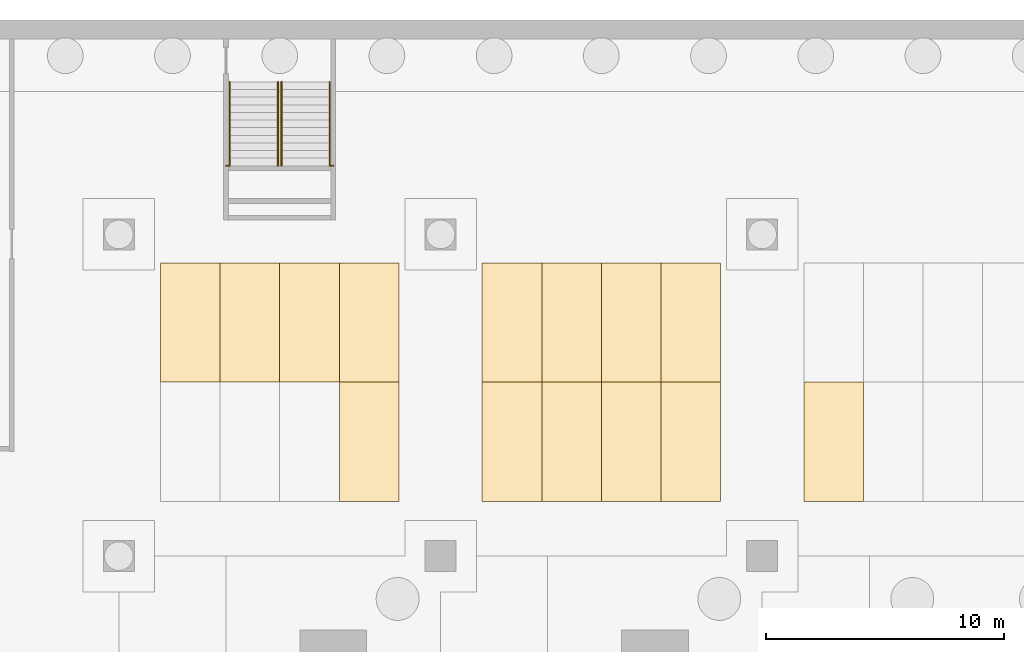
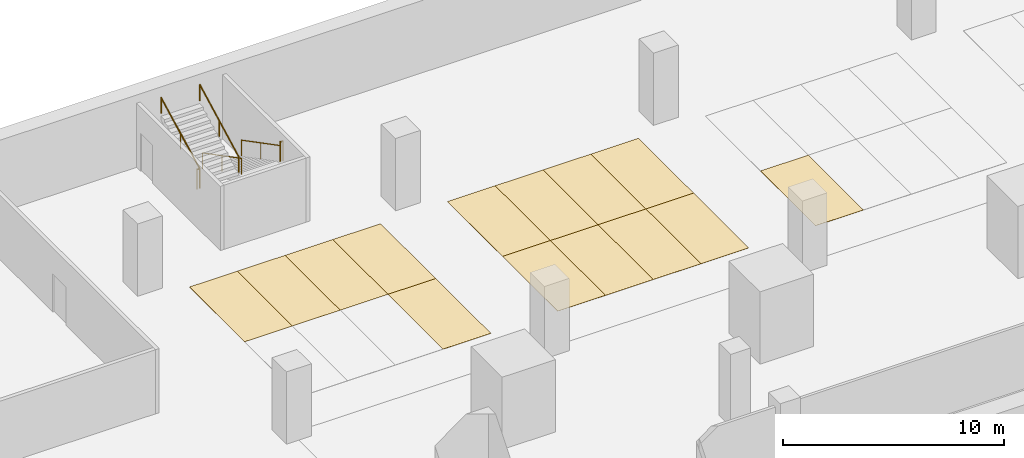
# One storey, part 33 of 40: 14 coverings, 6 railings.
"""IFC4 building model written with IfcOpenShell, lengths in metres."""

from ifc_helpers import new_model, si_unit, direction, frame, origin, origin_2d, place, context, subcontext, project, spatial, polyline, circle, outline, extrude, source, transform, mapped, material, layer, layer_set, type_object, element, save


model = new_model("IFC4")

# Units and contexts
model_context = context("Model", 3, precision=1e-05, world=origin(), true_north=direction((0.0, 1.0)))
body_context = subcontext(model_context, "Body", "Model", "MODEL_VIEW")
ifc_project = project(units=[si_unit("LENGTHUNIT", "METRE"), si_unit("AREAUNIT", "SQUARE_METRE"), si_unit("VOLUMEUNIT", "CUBIC_METRE"), si_unit("PLANEANGLEUNIT", "RADIAN"), si_unit("MASSUNIT", "GRAM", prefix="KILO")], contexts=[model_context])

# Site, building, storey
site_placement = place(None, origin())
site = spatial("IfcSite", under=ifc_project, at=site_placement, CompositionType="ELEMENT")
building_placement = place(site_placement, origin())
building = spatial("IfcBuilding", under=site, at=building_placement, Name="Altepetl Exchange Towers", CompositionType="ELEMENT")
storey_placement = place(building_placement, frame((0.0, 0.0, -8.0)))
storey = spatial("IfcBuildingStorey", under=building, at=storey_placement, Name="B2 Basement parking", CompositionType="ELEMENT", Elevation=-8.0)

# Coverings
ifc_material_1 = material(Name="Road marking paint")
ifc_layer = layer(ifc_material_1, 0.010009765625)
ifc_layer_set = layer_set([ifc_layer], Name="Road marking paint")
covering_type = type_object("IfcCoveringType", Name="Parking bay marking 2500 x 5000", PredefinedType="FLOORING", material=ifc_layer_set)
covering_1_placement = place(storey_placement, origin())
element("IfcCovering", 1, at=covering_1_placement, inside=storey, type_object=covering_type, Name="Parking bay B2-118", PredefinedType="FLOORING", context=body_context, shape_type="SweptSolid", body=[
    extrude(outline(polyline([(31.75, 78.800048828125), (34.25, 78.800048828125), (34.25, 83.800048828125), (31.75, 83.800048828125), (31.75, 78.800048828125)])), origin(), (0.0, 0.0, 1.0), 0.010009765625),
])
covering_2_placement = place(storey_placement, origin())
element("IfcCovering", 2, at=covering_2_placement, inside=storey, type_object=covering_type, Name="Parking bay B2-119", PredefinedType="FLOORING", context=body_context, shape_type="SweptSolid", body=[
    extrude(outline(polyline([(37.75, 78.800048828125), (40.25, 78.800048828125), (40.25, 83.800048828125), (37.75, 83.800048828125), (37.75, 78.800048828125)])), origin(), (0.0, 0.0, 1.0), 0.010009765625),
])
covering_3_placement = place(storey_placement, origin())
element("IfcCovering", 3, at=covering_3_placement, inside=storey, type_object=covering_type, Name="Parking bay B2-120", PredefinedType="FLOORING", context=body_context, shape_type="SweptSolid", body=[
    extrude(outline(polyline([(40.25, 78.800048828125), (42.75, 78.800048828125), (42.75, 83.800048828125), (40.25, 83.800048828125), (40.25, 78.800048828125)])), origin(), (0.0, 0.0, 1.0), 0.010009765625),
])
covering_4_placement = place(storey_placement, origin())
element("IfcCovering", 4, at=covering_4_placement, inside=storey, type_object=covering_type, Name="Parking bay B2-121", PredefinedType="FLOORING", context=body_context, shape_type="SweptSolid", body=[
    extrude(outline(polyline([(42.75, 78.800048828125), (45.25, 78.800048828125), (45.25, 83.800048828125), (42.75, 83.800048828125), (42.75, 78.800048828125)])), origin(), (0.0, 0.0, 1.0), 0.010009765625),
])
covering_5_placement = place(storey_placement, origin())
element("IfcCovering", 5, at=covering_5_placement, inside=storey, type_object=covering_type, Name="Parking bay B2-122", PredefinedType="FLOORING", context=body_context, shape_type="SweptSolid", body=[
    extrude(outline(polyline([(45.25, 78.800048828125), (47.75, 78.800048828125), (47.75, 83.800048828125), (45.25, 83.800048828125), (45.25, 78.800048828125)])), origin(), (0.0, 0.0, 1.0), 0.010009765625),
])
covering_6_placement = place(storey_placement, origin())
element("IfcCovering", 6, at=covering_6_placement, inside=storey, type_object=covering_type, Name="Parking bay B2-123", PredefinedType="FLOORING", context=body_context, shape_type="SweptSolid", body=[
    extrude(outline(polyline([(51.25, 78.800048828125), (53.75, 78.800048828125), (53.75, 83.800048828125), (51.25, 83.800048828125), (51.25, 78.800048828125)])), origin(), (0.0, 0.0, 1.0), 0.010009765625),
])
covering_7_placement = place(storey_placement, origin())
element("IfcCovering", 7, at=covering_7_placement, inside=storey, type_object=covering_type, Name="Parking bay B2-141", PredefinedType="FLOORING", context=body_context, shape_type="SweptSolid", body=[
    extrude(outline(polyline([(24.25, 83.800048828125), (26.75, 83.800048828125), (26.75, 88.800048828125), (24.25, 88.800048828125), (24.25, 83.800048828125)])), origin(), (0.0, 0.0, 1.0), 0.010009765625),
])
covering_8_placement = place(storey_placement, origin())
element("IfcCovering", 8, at=covering_8_placement, inside=storey, type_object=covering_type, Name="Parking bay B2-142", PredefinedType="FLOORING", context=body_context, shape_type="SweptSolid", body=[
    extrude(outline(polyline([(26.75, 83.800048828125), (29.25, 83.800048828125), (29.25, 88.800048828125), (26.75, 88.800048828125), (26.75, 83.800048828125)])), origin(), (0.0, 0.0, 1.0), 0.010009765625),
])
covering_9_placement = place(storey_placement, origin())
element("IfcCovering", 9, at=covering_9_placement, inside=storey, type_object=covering_type, Name="Parking bay B2-143", PredefinedType="FLOORING", context=body_context, shape_type="SweptSolid", body=[
    extrude(outline(polyline([(29.25, 83.800048828125), (31.75, 83.800048828125), (31.75, 88.800048828125), (29.25, 88.800048828125), (29.25, 83.800048828125)])), origin(), (0.0, 0.0, 1.0), 0.010009765625),
])
covering_10_placement = place(storey_placement, origin())
element("IfcCovering", 10, at=covering_10_placement, inside=storey, type_object=covering_type, Name="Parking bay B2-144", PredefinedType="FLOORING", context=body_context, shape_type="SweptSolid", body=[
    extrude(outline(polyline([(31.75, 83.800048828125), (34.25, 83.800048828125), (34.25, 88.800048828125), (31.75, 88.800048828125), (31.75, 83.800048828125)])), origin(), (0.0, 0.0, 1.0), 0.010009765625),
])
covering_11_placement = place(storey_placement, origin())
element("IfcCovering", 11, at=covering_11_placement, inside=storey, type_object=covering_type, Name="Parking bay B2-145", PredefinedType="FLOORING", context=body_context, shape_type="SweptSolid", body=[
    extrude(outline(polyline([(37.75, 83.800048828125), (40.25, 83.800048828125), (40.25, 88.800048828125), (37.75, 88.800048828125), (37.75, 83.800048828125)])), origin(), (0.0, 0.0, 1.0), 0.010009765625),
])
covering_12_placement = place(storey_placement, origin())
element("IfcCovering", 12, at=covering_12_placement, inside=storey, type_object=covering_type, Name="Parking bay B2-146", PredefinedType="FLOORING", context=body_context, shape_type="SweptSolid", body=[
    extrude(outline(polyline([(40.25, 83.800048828125), (42.75, 83.800048828125), (42.75, 88.800048828125), (40.25, 88.800048828125), (40.25, 83.800048828125)])), origin(), (0.0, 0.0, 1.0), 0.010009765625),
])
covering_13_placement = place(storey_placement, origin())
element("IfcCovering", 13, at=covering_13_placement, inside=storey, type_object=covering_type, Name="Parking bay B2-147", PredefinedType="FLOORING", context=body_context, shape_type="SweptSolid", body=[
    extrude(outline(polyline([(42.75, 83.800048828125), (45.25, 83.800048828125), (45.25, 88.800048828125), (42.75, 88.800048828125), (42.75, 83.800048828125)])), origin(), (0.0, 0.0, 1.0), 0.010009765625),
])
covering_14_placement = place(storey_placement, origin())
element("IfcCovering", 14, at=covering_14_placement, inside=storey, type_object=covering_type, Name="Parking bay B2-148", PredefinedType="FLOORING", context=body_context, shape_type="SweptSolid", body=[
    extrude(outline(polyline([(45.25, 83.800048828125), (47.75, 83.800048828125), (47.75, 88.800048828125), (45.25, 88.800048828125), (45.25, 83.800048828125)])), origin(), (0.0, 0.0, 1.0), 0.010009765625),
])

# Railings
ifc_material_2 = material(Name="Laminated glass and steel", Category="steel")
railing_type_1 = type_object("IfcRailingType", Name="Hall gallery guard 1100", PredefinedType="GUARDRAIL", material=ifc_material_2)
shared_shape_1 = source(origin(), body_context, "Body", "SweptSolid", [
    extrude(circle(Radius=0.02001953125, at=origin_2d()), origin(), (0.0, 0.0, 1.0), 1.050048828125),
])
for number, where, name in (
    (15, (31.5, 92.8798828125, 2.0), "rail:P:B2:ES5land0"),
    (16, (27.14990234375, 92.8798828125, 2.0), "rail:P:B2:ES5land1"),
):
    element("IfcRailing", number, at=place(storey_placement, frame(where)), inside=storey, type_object=railing_type_1, Name=name, PredefinedType="GUARDRAIL", context=body_context, shape_type="SweptSolid", body=[
        extrude(circle(Radius=0.02490234375, at=origin_2d()), frame((0.0, 0.0, 1.0751953125), z_axis=(-1.0, 0.0, 0.0), x_axis=(0.0, -1.0, 0.0)), (0.0, 0.0, 1.0), 0.14990234375),
        mapped(shared_shape_1, transform((0.0, 0.0, 0.0))),
        mapped(shared_shape_1, transform((-0.14990234375, 0.0, 0.0))),
    ])
ifc_material_3 = material(Name="Stainless steel", Category="steel")
railing_type_2 = type_object("IfcRailingType", Name="Stair handrail 900", PredefinedType="HANDRAIL", material=ifc_material_3)
shared_shape_2 = source(origin(), body_context, "Body", "SweptSolid", [
    extrude(circle(Radius=0.02001953125, at=origin_2d()), origin(), (0.0, 0.0, 1.0), 0.849853515625),
])
for number, where, name in (
    (17, (31.35009765625, 96.39990234375, 0.166748046875), "rail:P:B2:ES5:1a"),
    (18, (29.324951171875, 96.39990234375, 0.166748046875), "rail:P:B2:ES5:1b"),
):
    element("IfcRailing", number, at=place(storey_placement, frame(where)), inside=storey, type_object=railing_type_2, Name=name, PredefinedType="HANDRAIL", context=body_context, shape_type="SweptSolid", body=[
        extrude(circle(Radius=0.02490234375, at=origin_2d()), frame((0.0, 0.0, 0.875), z_axis=(0.0, -0.886923534906, 0.461916272965), x_axis=(1.0, 0.0, 0.0)), (0.0, 0.0, 1.0), 3.96875),
        mapped(shared_shape_2, transform((0.0, 0.0, 0.0))),
        mapped(shared_shape_2, transform((0.0, -1.760009765625, 0.91650390625))),
        mapped(shared_shape_2, transform((0.0, -3.52001953125, 1.833251953125))),
    ])
for number, where, name in (
    (19, (29.175048828125, 92.8798828125, 2.166748046875), "rail:P:B2:ES5:2a"),
    (20, (27.14990234375, 92.8798828125, 2.166748046875), "rail:P:B2:ES5:2b"),
):
    element("IfcRailing", number, at=place(storey_placement, frame(where)), inside=storey, type_object=railing_type_2, Name=name, PredefinedType="HANDRAIL", context=body_context, shape_type="SweptSolid", body=[
        extrude(circle(Radius=0.02490234375, at=origin_2d()), frame((0.0, 0.0, 0.875), z_axis=(0.0, 0.886923534906, 0.461916272965), x_axis=(-1.0, 0.0, 0.0)), (0.0, 0.0, 1.0), 3.96875),
        mapped(shared_shape_2, transform((0.0, 0.0, 0.0))),
        mapped(shared_shape_2, transform((0.0, 1.760009765625, 0.91650390625))),
        mapped(shared_shape_2, transform((0.0, 3.52001953125, 1.833251953125))),
    ])

save(model, "model.ifc")
